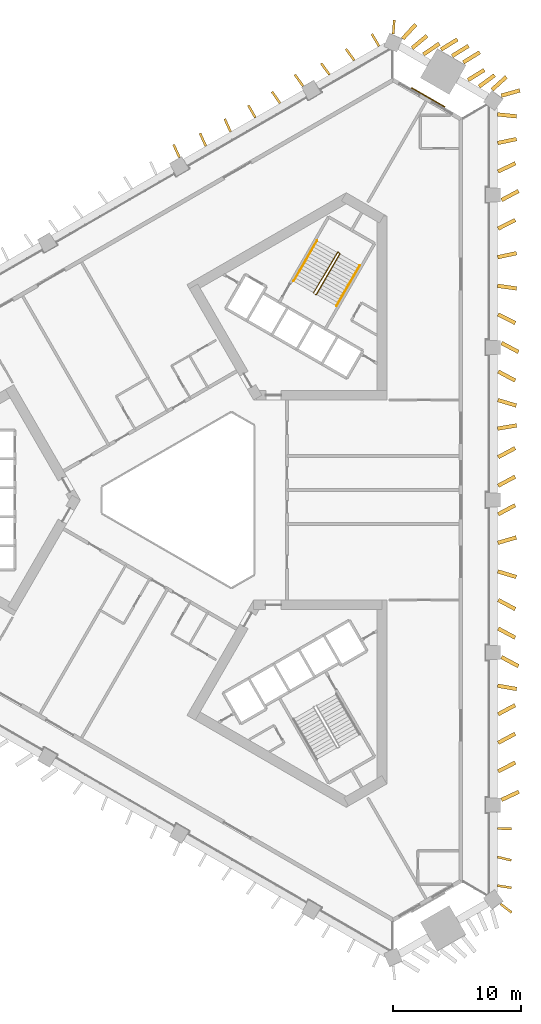
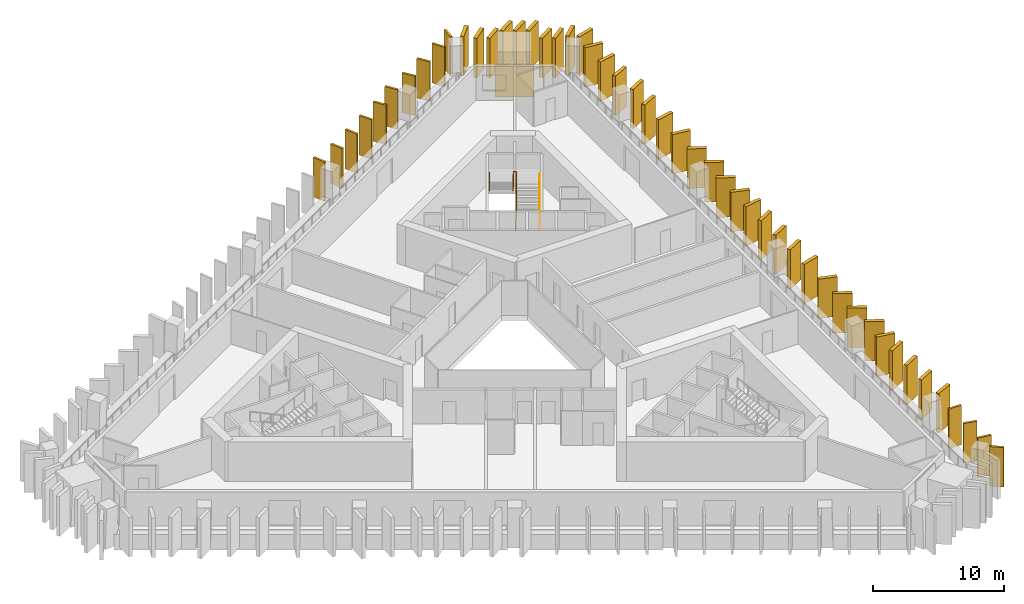
# One storey, part 10 of 10: 49 shading devices, 3 railings, 1 covering.
"""IFC4 building model written with IfcOpenShell, lengths in metres."""

from ifc_helpers import new_model, si_unit, direction, frame, frame_2d, origin, origin_2d, place, context, subcontext, project, spatial, rectangle, circle, extrude, material, layer, layer_set, type_object, element, save


model = new_model("IFC4")

# Units and contexts
model_context = context("Model", 3, precision=1e-05, world=origin(), true_north=direction((0.0, 1.0)))
body_context = subcontext(model_context, "Body", "Model", "MODEL_VIEW")
ifc_project = project(units=[si_unit("LENGTHUNIT", "METRE"), si_unit("AREAUNIT", "SQUARE_METRE"), si_unit("VOLUMEUNIT", "CUBIC_METRE"), si_unit("PLANEANGLEUNIT", "RADIAN"), si_unit("MASSUNIT", "GRAM", prefix="KILO")], contexts=[model_context])

# Site, building, storey
site_placement = place(None, origin())
site = spatial("IfcSite", under=ifc_project, at=site_placement, CompositionType="ELEMENT")
building_placement = place(site_placement, origin())
building = spatial("IfcBuilding", under=site, at=building_placement, Name="Jabali Bay Hotel Tower and Convention Centre", CompositionType="ELEMENT")
storey_placement = place(building_placement, frame((0.0, 0.0, 72.10009765625)))
storey = spatial("IfcBuildingStorey", under=building, at=storey_placement, Name="L16", CompositionType="ELEMENT", Elevation=72.10009765625)

# Shading devices
ifc_material_1 = material(Name="Precast concrete C60", Category="concrete")
ifc_layer_1 = layer(ifc_material_1, 0.179931640625)
ifc_layer_set_1 = layer_set([ifc_layer_1], Name="Precast concrete C60")
shading_device_type_1 = type_object("IfcShadingDeviceType", Name="Precast fin 3680 x 1100", PredefinedType="USERDEFINED", material=ifc_layer_set_1)
shading_device_1_placement = place(storey_placement, frame((98.506103515625, 49.9501953125, 0.010009765625), z_axis=(0.0, 0.0, 1.0), x_axis=(0.988374263486, -0.152040505387, 0.0)))
element("IfcShadingDevice", 1, at=shading_device_1_placement, inside=storey, type_object=shading_device_type_1, Name="Fin L16 000", ObjectType="FIN", PredefinedType="USERDEFINED", context=body_context, shape_type="SweptSolid", body=[
    extrude(rectangle(XDim=1.099853515625, YDim=0.179931640625, at=frame_2d((0.5498046875, 0.0))), origin(), (0.0, 0.0, 1.0), 3.679931640625),
])
shading_device_2_placement = place(storey_placement, frame((98.512939453125, 52.176025390625, 0.010009765625), z_axis=(0.0, 0.0, 1.0), x_axis=(0.973626325185, -0.228148589535, 0.0)))
element("IfcShadingDevice", 2, at=shading_device_2_placement, inside=storey, type_object=shading_device_type_1, Name="Fin L16 001", ObjectType="FIN", PredefinedType="USERDEFINED", context=body_context, shape_type="SweptSolid", body=[
    extrude(rectangle(XDim=1.10009765625, YDim=0.179931640625, at=frame_2d((0.550048828125, 0.0))), origin(), (0.0, 0.0, 1.0), 3.679931640625),
])
for number, where, z_axis, x_axis, name in (
    (3, (98.49462890625, 54.402099609375, 0.010009765625), (0.0, 0.0, 1.0), (0.999696456161, -0.024637279448, 0.0), "Fin L16 002"),
    (4, (89.277099609375, 115.37109375, 0.010009765625), (0.0, 0.0, 1.0), (-0.511620430485, 0.859211577617, 0.0), "Fin L16 037"),
    (5, (87.34521484375, 114.265380859375, 0.010009765625), (0.0, 0.0, 1.0), (-0.589292908967, 0.807919468414, 0.0), "Fin L16 038"),
):
    element("IfcShadingDevice", number, at=place(storey_placement, frame(where, z_axis=z_axis, x_axis=x_axis)), inside=storey, type_object=shading_device_type_1, Name=name, ObjectType="FIN", PredefinedType="USERDEFINED", context=body_context, shape_type="SweptSolid", body=[
        extrude(rectangle(XDim=1.099853515625, YDim=0.179931640625, at=frame_2d((0.5498046875, 0.0))), origin(), (0.0, 0.0, 1.0), 3.679931640625),
    ])
for number, where, z_axis, x_axis, name in (
    (6, (85.417236328125, 113.15283203125, 0.010009765625), (0.0, 0.0, 1.0), (-0.59430370003, 0.804240705343, 0.0), "Fin L16 039"),
    (7, (83.361083984375, 112.26220703125, 0.010009765625), (0.0, 0.0, 1.0), (-0.587498449283, 0.809225291306, 0.0), "Fin L16 040"),
    (8, (81.563232421875, 110.924560546875, 0.010009765625), (0.0, 0.0, 1.0), (-0.569717666927, 0.8218404833, 0.0), "Fin L16 041"),
):
    element("IfcShadingDevice", number, at=place(storey_placement, frame(where, z_axis=z_axis, x_axis=x_axis)), inside=storey, type_object=shading_device_type_1, Name=name, ObjectType="FIN", PredefinedType="USERDEFINED", context=body_context, shape_type="SweptSolid", body=[
        extrude(rectangle(XDim=1.10009765625, YDim=0.179931640625, at=frame_2d((0.550048828125, 0.0))), origin(), (0.0, 0.0, 1.0), 3.679931640625),
    ])
shading_device_3_placement = place(storey_placement, frame((79.638916015625, 109.8056640625, 0.010009765625), z_axis=(0.0, 0.0, 1.0), x_axis=(-0.495206394691, 0.868775360296, 0.0)))
element("IfcShadingDevice", 9, at=shading_device_3_placement, inside=storey, type_object=shading_device_type_1, Name="Fin L16 042", ObjectType="FIN", PredefinedType="USERDEFINED", context=body_context, shape_type="SweptSolid", body=[
    extrude(rectangle(XDim=1.099853515625, YDim=0.179931640625, at=frame_2d((0.5498046875, 0.0))), origin(), (0.0, 0.0, 1.0), 3.679931640625),
])
for number, where, z_axis, x_axis, name in (
    (10, (77.70703125, 108.699951171875, 0.010009765625), (0.0, 0.0, 1.0), (-0.41279942442, 0.910821955817, 0.0), "Fin L16 043"),
    (11, (75.779296875, 107.5869140625, 0.010009765625), (0.0, 0.0, 1.0), (-0.411711599692, 0.911314193173, 0.0), "Fin L16 044"),
    (12, (73.722900390625, 106.697021484375, 0.010009765625), (0.0, 0.0, 1.0), (-0.411711599692, 0.911314193173, 0.0), "Fin L16 045"),
    (13, (98.741455078125, 48.524658203125, 0.010009765625), (0.0, 0.0, 1.0), (0.792698231554, -0.609614233505, 0.0), "Fin L16 111"),
    (14, (90.3876953125, 116.30419921875, 0.010009765625), (0.0, 0.0, 1.0), (0.070348083195, 0.997522504604, 0.0), "Fin L16 113"),
):
    element("IfcShadingDevice", number, at=place(storey_placement, frame(where, z_axis=z_axis, x_axis=x_axis)), inside=storey, type_object=shading_device_type_1, Name=name, ObjectType="FIN", PredefinedType="USERDEFINED", context=body_context, shape_type="SweptSolid", body=[
        extrude(rectangle(XDim=1.10009765625, YDim=0.179931640625, at=frame_2d((0.550048828125, 0.0))), origin(), (0.0, 0.0, 1.0), 3.679931640625),
    ])
ifc_layer_2 = layer(ifc_material_1, 0.300048828125)
ifc_layer_set_2 = layer_set([ifc_layer_2], Name="Precast concrete C60")
shading_device_type_2 = type_object("IfcShadingDeviceType", Name="Precast fin 3680 x 1500", PredefinedType="USERDEFINED", material=ifc_layer_set_2)
for number, where, z_axis, x_axis, name in (
    (15, (98.8134765625, 56.6279296875, 0.010009765625), (0.0, 0.0, 1.0), (0.906116596819, 0.423028028585, 0.0), "Fin L16 003"),
    (16, (98.56103515625, 58.853759765625, 0.010009765625), (0.0, 0.0, 1.0), (0.888958493145, 0.457987769995, 0.0), "Fin L16 004"),
    (17, (98.562744140625, 61.079833984375, 0.010009765625), (0.0, 0.0, 1.0), (0.883324263564, 0.468762461593, 0.0), "Fin L16 005"),
    (18, (98.563232421875, 63.3056640625, 0.010009765625), (0.0, 0.0, 1.0), (0.881680721285, 0.471846485325, 0.0), "Fin L16 006"),
    (19, (98.518310546875, 65.531494140625, 0.010009765625), (0.0, 0.0, 1.0), (0.984977914297, -0.172680364684, 0.0), "Fin L16 007"),
):
    element("IfcShadingDevice", number, at=place(storey_placement, frame(where, z_axis=z_axis, x_axis=x_axis)), inside=storey, type_object=shading_device_type_2, Name=name, ObjectType="FIN", PredefinedType="USERDEFINED", context=body_context, shape_type="SweptSolid", body=[
        extrude(rectangle(XDim=1.5, YDim=0.300048828125, at=frame_2d((0.75, 0.0))), origin(), (0.0, 0.0, 1.0), 3.679931640625),
    ])
shading_device_4_placement = place(storey_placement, frame((98.82080078125, 67.757568359375, 0.010009765625), z_axis=(0.0, 0.0, 1.0), x_axis=(0.881097417694, -0.472934816368, 0.0)))
element("IfcShadingDevice", 20, at=shading_device_4_placement, inside=storey, type_object=shading_device_type_2, Name="Fin L16 008", ObjectType="FIN", PredefinedType="USERDEFINED", context=body_context, shape_type="SweptSolid", body=[
    extrude(rectangle(XDim=1.500244140625, YDim=0.300048828125, at=frame_2d((0.75, 0.0))), origin(), (0.0, 0.0, 1.0), 3.679931640625),
])
for number, where, z_axis, x_axis, name in (
    (21, (98.5634765625, 69.9833984375, 0.010009765625), (0.0, 0.0, 1.0), (0.881061009287, -0.473002640493, 0.0), "Fin L16 009"),
    (22, (98.5634765625, 72.209228515625, 0.010009765625), (0.0, 0.0, 1.0), (0.881061009287, -0.473002640493, 0.0), "Fin L16 010"),
    (23, (98.535888671875, 74.435302734375, 0.010009765625), (0.0, 0.0, 1.0), (0.957210378768, -0.289392969469, 0.0), "Fin L16 011"),
    (24, (98.53466796875, 76.6611328125, 0.010009765625), (0.0, 0.0, 1.0), (0.95959066497, 0.281399636997, 0.0), "Fin L16 012"),
    (25, (98.5634765625, 78.886962890625, 0.010009765625), (0.0, 0.0, 1.0), (0.881061009287, 0.473002640493, 0.0), "Fin L16 013"),
    (26, (98.5634765625, 81.113037109375, 0.010009765625), (0.0, 0.0, 1.0), (0.881061009287, 0.473002640493, 0.0), "Fin L16 014"),
    (27, (98.5634765625, 83.3388671875, 0.010009765625), (0.0, 0.0, 1.0), (0.881061009287, 0.473002640493, 0.0), "Fin L16 015"),
    (28, (98.51708984375, 85.564697265625, 0.010009765625), (0.0, 0.0, 1.0), (0.986367516484, 0.164557352998, 0.0), "Fin L16 016"),
    (29, (98.535400390625, 87.790771484375, 0.010009765625), (0.0, 0.0, 1.0), (0.957996341606, -0.286780420304, 0.0), "Fin L16 017"),
    (30, (98.5634765625, 90.0166015625, 0.010009765625), (0.0, 0.0, 1.0), (0.881061009287, -0.473002640493, 0.0), "Fin L16 018"),
    (31, (98.82080078125, 92.242431640625, 0.010009765625), (0.0, 0.0, 1.0), (0.881061009287, -0.473002640493, 0.0), "Fin L16 019"),
):
    element("IfcShadingDevice", number, at=place(storey_placement, frame(where, z_axis=z_axis, x_axis=x_axis)), inside=storey, type_object=shading_device_type_2, Name=name, ObjectType="FIN", PredefinedType="USERDEFINED", context=body_context, shape_type="SweptSolid", body=[
        extrude(rectangle(XDim=1.5, YDim=0.300048828125, at=frame_2d((0.75, 0.0))), origin(), (0.0, 0.0, 1.0), 3.679931640625),
    ])
shading_device_5_placement = place(storey_placement, frame((98.560791015625, 94.468505859375, 0.010009765625), z_axis=(0.0, 0.0, 1.0), x_axis=(0.890056249177, -0.455850713832, 0.0)))
element("IfcShadingDevice", 32, at=shading_device_5_placement, inside=storey, type_object=shading_device_type_2, Name="Fin L16 020", ObjectType="FIN", PredefinedType="USERDEFINED", context=body_context, shape_type="SweptSolid", body=[
    extrude(rectangle(XDim=1.500244140625, YDim=0.300048828125, at=frame_2d((0.75, 0.0))), origin(), (0.0, 0.0, 1.0), 3.679931640625),
])
shading_device_6_placement = place(storey_placement, frame((98.513427734375, 96.6943359375, 0.010009765625), z_axis=(0.0, 0.0, 1.0), x_axis=(0.990224288853, -0.139484256336, 0.0)))
element("IfcShadingDevice", 33, at=shading_device_6_placement, inside=storey, type_object=shading_device_type_2, Name="Fin L16 021", ObjectType="FIN", PredefinedType="USERDEFINED", context=body_context, shape_type="SweptSolid", body=[
    extrude(rectangle(XDim=1.5, YDim=0.300048828125, at=frame_2d((0.75, 0.0))), origin(), (0.0, 0.0, 1.0), 3.679931640625),
])
shading_device_7_placement = place(storey_placement, frame((98.524169921875, 98.920166015625, 0.010009765625), z_axis=(0.0, 0.0, 1.0), x_axis=(0.977258542345, 0.21205127072, 0.0)))
element("IfcShadingDevice", 34, at=shading_device_7_placement, inside=storey, type_object=shading_device_type_2, Name="Fin L16 022", ObjectType="FIN", PredefinedType="USERDEFINED", context=body_context, shape_type="SweptSolid", body=[
    extrude(rectangle(XDim=1.500244140625, YDim=0.300048828125, at=frame_2d((0.75, 0.0))), origin(), (0.0, 0.0, 1.0), 3.679931640625),
])
shading_device_8_placement = place(storey_placement, frame((98.56005859375, 101.146240234375, 0.010009765625), z_axis=(0.0, 0.0, 1.0), x_axis=(0.89259680533, 0.450855789709, 0.0)))
element("IfcShadingDevice", 35, at=shading_device_8_placement, inside=storey, type_object=shading_device_type_2, Name="Fin L16 023", ObjectType="FIN", PredefinedType="USERDEFINED", context=body_context, shape_type="SweptSolid", body=[
    extrude(rectangle(XDim=1.5, YDim=0.300048828125, at=frame_2d((0.75, 0.0))), origin(), (0.0, 0.0, 1.0), 3.679931640625),
])
for number, where, z_axis, x_axis, name in (
    (36, (98.82080078125, 103.3720703125, 0.010009765625), (0.0, 0.0, 1.0), (0.881097417694, 0.472934816368, 0.0), "Fin L16 024"),
    (37, (98.557373046875, 105.597900390625, 0.010009765625), (0.0, 0.0, 1.0), (0.901441775137, 0.432900365023, 0.0), "Fin L16 025"),
):
    element("IfcShadingDevice", number, at=place(storey_placement, frame(where, z_axis=z_axis, x_axis=x_axis)), inside=storey, type_object=shading_device_type_2, Name=name, ObjectType="FIN", PredefinedType="USERDEFINED", context=body_context, shape_type="SweptSolid", body=[
        extrude(rectangle(XDim=1.500244140625, YDim=0.300048828125, at=frame_2d((0.75, 0.0))), origin(), (0.0, 0.0, 1.0), 3.679931640625),
    ])
shading_device_9_placement = place(storey_placement, frame((98.52294921875, 107.823974609375, 0.010009765625), z_axis=(0.0, 0.0, 1.0), x_axis=(0.979250395716, 0.202654046321, 0.0)))
element("IfcShadingDevice", 38, at=shading_device_9_placement, inside=storey, type_object=shading_device_type_2, Name="Fin L16 026", ObjectType="FIN", PredefinedType="USERDEFINED", context=body_context, shape_type="SweptSolid", body=[
    extrude(rectangle(XDim=1.499755859375, YDim=0.300048828125, at=frame_2d((0.75, 0.0))), origin(), (0.0, 0.0, 1.0), 3.679931640625),
])
shading_device_10_placement = place(storey_placement, frame((98.507568359375, 110.0498046875, 0.010009765625), z_axis=(0.0, 0.0, 1.0), x_axis=(0.994846880418, -0.101388779077, 0.0)))
element("IfcShadingDevice", 39, at=shading_device_10_placement, inside=storey, type_object=shading_device_type_2, Name="Fin L16 027", ObjectType="FIN", PredefinedType="USERDEFINED", context=body_context, shape_type="SweptSolid", body=[
    extrude(rectangle(XDim=1.500244140625, YDim=0.300048828125, at=frame_2d((0.75, 0.0))), origin(), (0.0, 0.0, 1.0), 3.679931640625),
])
for number, where, z_axis, x_axis, name in (
    (40, (98.08642578125, 111.968505859375, 0.010009765625), (0.0, 0.0, 1.0), (0.740381788075, 0.672186587107, 0.0), "Fin L16 028"),
    (41, (97.071533203125, 112.21533203125, 0.010009765625), (0.0, 0.0, 1.0), (0.806937619336, 0.59063667216, 0.0), "Fin L16 029"),
    (42, (96.208740234375, 112.7255859375, 0.010009765625), (0.0, 0.0, 1.0), (0.850258209303, 0.526365820996, 0.0), "Fin L16 030"),
    (43, (95.846923828125, 114.103515625, 0.010009765625), (0.0, 0.0, 1.0), (0.850258209303, 0.526365820996, 0.0), "Fin L16 031"),
    (44, (94.97900390625, 114.6044921875, 0.010009765625), (0.0, 0.0, 1.0), (0.850140244576, 0.526556326097, 0.0), "Fin L16 032"),
):
    element("IfcShadingDevice", number, at=place(storey_placement, frame(where, z_axis=z_axis, x_axis=x_axis)), inside=storey, type_object=shading_device_type_2, Name=name, ObjectType="FIN", PredefinedType="USERDEFINED", context=body_context, shape_type="SweptSolid", body=[
        extrude(rectangle(XDim=1.5, YDim=0.300048828125, at=frame_2d((0.75, 0.0))), origin(), (0.0, 0.0, 1.0), 3.679931640625),
    ])
shading_device_11_placement = place(storey_placement, frame((94.11083984375, 115.105712890625, 0.010009765625), z_axis=(0.0, 0.0, 1.0), x_axis=(0.850185364679, 0.526483471427, 0.0)))
element("IfcShadingDevice", 45, at=shading_device_11_placement, inside=storey, type_object=shading_device_type_2, Name="Fin L16 033", ObjectType="FIN", PredefinedType="USERDEFINED", context=body_context, shape_type="SweptSolid", body=[
    extrude(rectangle(XDim=1.500244140625, YDim=0.300048828125, at=frame_2d((0.75, 0.0))), origin(), (0.0, 0.0, 1.0), 3.679931640625),
])
for number, where, z_axis, x_axis, name in (
    (46, (92.73388671875, 114.725341796875, 0.010009765625), (0.0, 0.0, 1.0), (0.828123420481, 0.560545805845, 0.0), "Fin L16 034"),
    (47, (91.85888671875, 115.21435546875, 0.010009765625), (0.0, 0.0, 1.0), (0.766470670719, 0.642279309123, 0.0), "Fin L16 035"),
    (48, (91.12451171875, 115.947021484375, 0.010009765625), (0.0, 0.0, 1.0), (0.675591957691, 0.737275733158, 0.0), "Fin L16 036"),
    (49, (98.8046875, 111.51171875, 0.010009765625), (0.0, 0.0, 1.0), (0.962074771273, 0.272785876612, 0.0), "Fin L16 112"),
):
    element("IfcShadingDevice", number, at=place(storey_placement, frame(where, z_axis=z_axis, x_axis=x_axis)), inside=storey, type_object=shading_device_type_2, Name=name, ObjectType="FIN", PredefinedType="USERDEFINED", context=body_context, shape_type="SweptSolid", body=[
        extrude(rectangle(XDim=1.5, YDim=0.300048828125, at=frame_2d((0.75, 0.0))), origin(), (0.0, 0.0, 1.0), 3.679931640625),
    ])

# Covering
ifc_material_2 = material(Name="Precast concrete C40/50", Category="concrete")
ifc_layer_3 = layer(ifc_material_2, 0.080078125)
ifc_layer_set_3 = layer_set([ifc_layer_3], Name="Precast concrete C40/50")
covering_type = type_object("IfcCoveringType", Name="Relief panel 3000 x 3000", PredefinedType="CLADDING", material=ifc_layer_set_3)
covering_placement = place(storey_placement, frame((93.114013671875, 111.374267578125, 0.099853515625), z_axis=(0.0, 0.0, 1.0), x_axis=(0.866025332776, -0.500000122991, 0.0)))
element("IfcCovering", 50, at=covering_placement, inside=storey, type_object=covering_type, Name="Relief panel L16", PredefinedType="CLADDING", context=body_context, shape_type="SweptSolid", body=[
    extrude(rectangle(XDim=3.0, YDim=0.080078125, at=origin_2d()), origin(), (0.0, 0.0, 1.0), 3.0),
])

# Railings
ifc_material_3 = material(Name="Steel Q355B", Category="steel")
railing_type_1 = type_object("IfcRailingType", Name="Stair guard 1100", PredefinedType="GUARDRAIL", material=ifc_material_3)
railing_1_placement = place(storey_placement, frame((84.329833984375, 96.010009765625, 0.0)))
element("IfcRailing", 51, at=railing_1_placement, inside=storey, type_object=railing_type_1, Name="L16 ST2 stair guard 1", PredefinedType="GUARDRAIL", context=body_context, shape_type="SweptSolid", body=[
    extrude(circle(Radius=0.02392578125, at=origin_2d()), frame((0.0, 0.0, 1.076171875), z_axis=(0.456201556387, 0.122196845461, 0.881446578591), x_axis=(-0.258736085224, 0.965948051503, 0.0)), (0.0, 0.0, 1.0), 0.14990234375),
    extrude(circle(Radius=0.02392578125, at=origin_2d()), frame((0.068359375, 0.018310546875, 1.2080078125), z_axis=(0.452190331055, 0.783190014029, 0.426775475427), x_axis=(-0.866018046521, 0.500012742938, 0.0)), (0.0, 0.0, 1.0), 4.02490234375),
    extrude(circle(Radius=0.02392578125, at=origin_2d()), frame((1.888427734375, 3.170654296875, 2.92578125), z_axis=(-0.718850276695, 0.695164929852, 0.0), x_axis=(-0.695164929852, -0.718850276695, 0.0)), (0.0, 0.0, 1.0), 0.2060546875),
    extrude(circle(Radius=0.02392578125, at=origin_2d()), frame((1.740234375, 3.31396484375, 2.92578125), z_axis=(-0.457445338502, -0.768046879266, 0.448160410493), x_axis=(0.859157857954, -0.511710636118, 0.0)), (0.0, 0.0, 1.0), 4.128173828125),
    extrude(circle(Radius=0.02099609375, at=origin_2d()), origin(), (0.0, 0.0, 1.0), 1.052001953125),
    extrude(circle(Radius=0.02099609375, at=origin_2d()), frame((0.068359375, 0.018310546875, 0.132080078125)), (0.0, 0.0, 1.0), 1.052001953125),
    extrude(circle(Radius=0.02099609375, at=origin_2d()), frame((0.5234375, 0.806396484375, 0.5615234375)), (0.0, 0.0, 1.0), 1.052001953125),
    extrude(circle(Radius=0.02099609375, at=origin_2d()), frame((0.978515625, 1.594482421875, 0.990966796875)), (0.0, 0.0, 1.0), 1.052001953125),
    extrude(circle(Radius=0.02099609375, at=origin_2d()), frame((1.433349609375, 2.382568359375, 1.42041015625)), (0.0, 0.0, 1.0), 1.052001953125),
    extrude(circle(Radius=0.02099609375, at=origin_2d()), frame((1.888427734375, 3.170654296875, 1.849853515625)), (0.0, 0.0, 1.0), 1.052001953125),
    extrude(circle(Radius=0.02099609375, at=origin_2d()), frame((1.740234375, 3.31396484375, 1.849853515625)), (0.0, 0.0, 1.0), 1.052001953125),
    extrude(circle(Radius=0.02099609375, at=origin_2d()), frame((1.26806640625, 2.521240234375, 2.3125)), (0.0, 0.0, 1.0), 1.052001953125),
    extrude(circle(Radius=0.02099609375, at=origin_2d()), frame((0.7958984375, 1.728515625, 2.77490234375)), (0.0, 0.0, 1.0), 1.052001953125),
    extrude(circle(Radius=0.02099609375, at=origin_2d()), frame((0.323974609375, 0.93603515625, 3.2373046875)), (0.0, 0.0, 1.0), 1.052001953125),
    extrude(circle(Radius=0.02099609375, at=origin_2d()), frame((-0.148193359375, 0.143310546875, 3.699951171875)), (0.0, 0.0, 1.0), 1.052001953125),
])
railing_type_2 = type_object("IfcRailingType", Name="Stair handrail 900", PredefinedType="HANDRAIL", material=ifc_material_3)
railing_2_placement = place(storey_placement, frame((85.95703125, 95.128173828125, 0.132080078125)))
element("IfcRailing", 52, at=railing_2_placement, inside=storey, type_object=railing_type_2, Name="L16 ST2 stair handrail 1", PredefinedType="HANDRAIL", context=body_context, shape_type="SweptSolid", body=[
    extrude(circle(Radius=0.02392578125, at=origin_2d()), frame((0.0, 0.0, 0.8759765625), z_axis=(0.452190331055, 0.783190014029, 0.426775475427), x_axis=(-0.866018046521, 0.500012742938, 0.0)), (0.0, 0.0, 1.0), 4.02490234375),
    extrude(circle(Radius=0.02099609375, at=origin_2d()), origin(), (0.0, 0.0, 1.0), 0.851806640625),
    extrude(circle(Radius=0.02099609375, at=origin_2d()), frame((0.455078125, 0.7880859375, 0.429443359375)), (0.0, 0.0, 1.0), 0.851806640625),
    extrude(circle(Radius=0.02099609375, at=origin_2d()), frame((0.91015625, 1.576171875, 0.85888671875)), (0.0, 0.0, 1.0), 0.851806640625),
    extrude(circle(Radius=0.02099609375, at=origin_2d()), frame((1.364990234375, 2.3642578125, 1.288330078125)), (0.0, 0.0, 1.0), 0.851806640625),
    extrude(circle(Radius=0.02099609375, at=origin_2d()), frame((1.820068359375, 3.15234375, 1.7177734375)), (0.0, 0.0, 1.0), 0.851806640625),
])
railing_3_placement = place(storey_placement, frame((84.44287109375, 100.20556640625, 1.98193359375)))
element("IfcRailing", 53, at=railing_3_placement, inside=storey, type_object=railing_type_2, Name="L16 ST2 stair handrail 2", PredefinedType="HANDRAIL", context=body_context, shape_type="SweptSolid", body=[
    extrude(circle(Radius=0.02392578125, at=origin_2d()), frame((0.0, 0.0, 0.8759765625), z_axis=(-0.45217862506, -0.783169739339, 0.426825081763), x_axis=(0.866018046521, -0.500012742938, 0.0)), (0.0, 0.0, 1.0), 4.025146484375),
    extrude(circle(Radius=0.02099609375, at=origin_2d()), origin(), (0.0, 0.0, 1.0), 0.851806640625),
    extrude(circle(Radius=0.02099609375, at=origin_2d()), frame((-0.455078125, -0.7880859375, 0.429443359375)), (0.0, 0.0, 1.0), 0.851806640625),
    extrude(circle(Radius=0.02099609375, at=origin_2d()), frame((-0.91015625, -1.576171875, 0.85888671875)), (0.0, 0.0, 1.0), 0.851806640625),
    extrude(circle(Radius=0.02099609375, at=origin_2d()), frame((-1.364990234375, -2.3642578125, 1.28857421875)), (0.0, 0.0, 1.0), 0.851806640625),
    extrude(circle(Radius=0.02099609375, at=origin_2d()), frame((-1.820068359375, -3.15234375, 1.718017578125)), (0.0, 0.0, 1.0), 0.851806640625),
])

save(model, "model.ifc")
